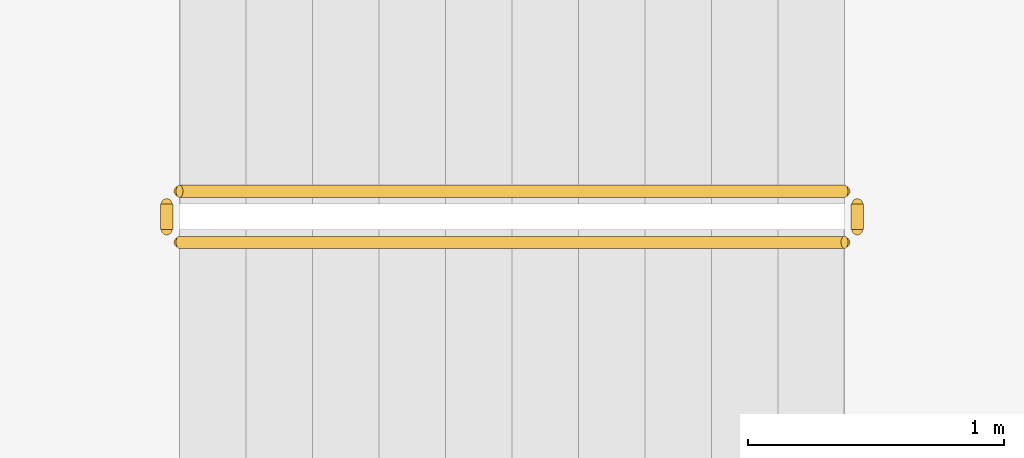
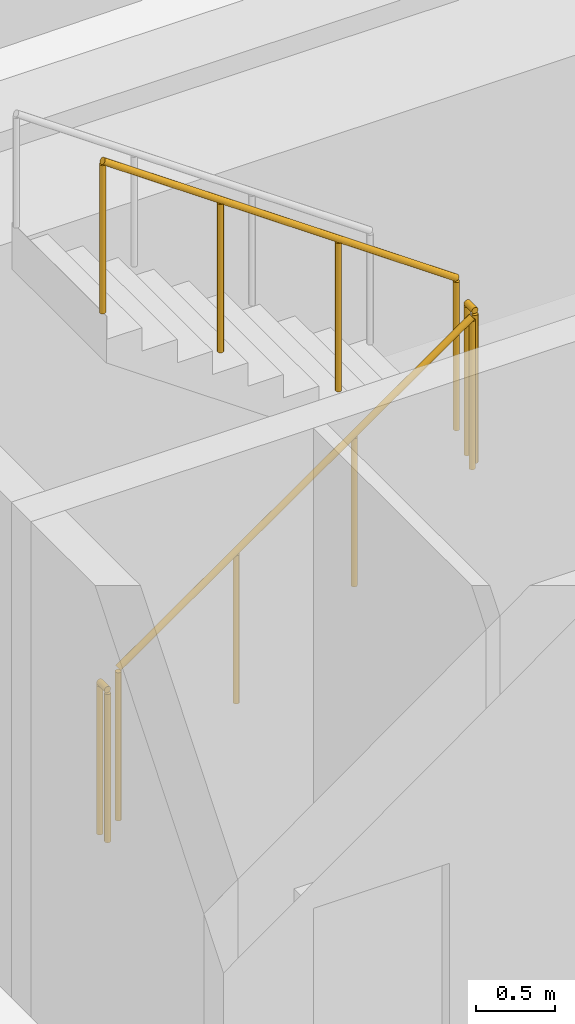
# One storey, part 19 of 23: 4 railings.
"""IFC4 building model written with IfcOpenShell, lengths in metres."""

from ifc_helpers import new_model, si_unit, direction, frame, origin, origin_2d, place, context, subcontext, project, spatial, circle, extrude, material, type_object, element, save


model = new_model("IFC4")

# Units and contexts
model_context = context("Model", 3, precision=1e-05, world=origin(), true_north=direction((0.0, 1.0)))
body_context = subcontext(model_context, "Body", "Model", "MODEL_VIEW")
ifc_project = project(units=[si_unit("LENGTHUNIT", "METRE"), si_unit("AREAUNIT", "SQUARE_METRE"), si_unit("VOLUMEUNIT", "CUBIC_METRE"), si_unit("PLANEANGLEUNIT", "RADIAN"), si_unit("MASSUNIT", "GRAM", prefix="KILO")], contexts=[model_context])

# Site, building, storey
site_placement = place(None, origin())
site = spatial("IfcSite", under=ifc_project, at=site_placement, CompositionType="ELEMENT")
building_placement = place(site_placement, origin())
building = spatial("IfcBuilding", under=site, at=building_placement, Name="Sahrelin Media Tower", CompositionType="ELEMENT")
storey_placement = place(building_placement, frame((0.0, 0.0, 161.60009765625)))
storey = spatial("IfcBuildingStorey", under=building, at=storey_placement, Name="L33", CompositionType="ELEMENT", Elevation=161.60009765625)

# Railings
ifc_material = material(Name="Steel S355", Category="steel")
railing_type = type_object("IfcRailingType", Name="Stair guard 1200", PredefinedType="GUARDRAIL", material=ifc_material)
railing_1_placement = place(storey_placement, frame((-7.675048828125, 5.25, 0.181640625)))
element("IfcRailing", 1, at=railing_1_placement, inside=storey, type_object=railing_type, Name="L33 ST1 stair guard 1", PredefinedType="GUARDRAIL", context=body_context, shape_type="SweptSolid", body=[
    extrude(circle(Radius=0.02392578125, at=origin_2d()), frame((0.0, 0.0, 1.17578125), z_axis=(0.819484887739, 0.0, 0.573100792852), x_axis=(0.0, 1.0, 0.0)), (0.0, 0.0, 1.0), 3.1728515625),
    extrude(circle(Radius=0.02099609375, at=origin_2d()), origin(), (0.0, 0.0, 1.0), 1.15185546875),
    extrude(circle(Radius=0.02099609375, at=origin_2d()), frame((0.86669921875, 0.0, 0.606201171875)), (0.0, 0.0, 1.0), 1.15185546875),
    extrude(circle(Radius=0.02099609375, at=origin_2d()), frame((1.7333984375, 0.0, 1.212158203125)), (0.0, 0.0, 1.0), 1.15185546875),
    extrude(circle(Radius=0.02099609375, at=origin_2d()), frame((2.60009765625, 0.0, 1.818359375)), (0.0, 0.0, 1.0), 1.15185546875),
])
railing_2_placement = place(storey_placement, frame((-5.02490234375, 5.300048828125, 2.0)))
element("IfcRailing", 2, at=railing_2_placement, inside=storey, type_object=railing_type, Name="L33 ST1 stair guard 2", PredefinedType="GUARDRAIL", context=body_context, shape_type="SweptSolid", body=[
    extrude(circle(Radius=0.02392578125, at=origin_2d()), frame((0.0, 0.0, 1.17578125), z_axis=(0.0, 1.0, 0.0), x_axis=(-1.0, 0.0, 0.0)), (0.0, 0.0, 1.0), 0.099853515625),
    extrude(circle(Radius=0.02099609375, at=origin_2d()), origin(), (0.0, 0.0, 1.0), 1.15185546875),
    extrude(circle(Radius=0.02099609375, at=origin_2d()), frame((0.0, 0.099853515625, 0.0)), (0.0, 0.0, 1.0), 1.15185546875),
])
railing_3_placement = place(storey_placement, frame((-5.074951171875, 5.449951171875, 2.181640625)))
element("IfcRailing", 3, at=railing_3_placement, inside=storey, type_object=railing_type, Name="L33 ST1 stair guard 3", PredefinedType="GUARDRAIL", context=body_context, shape_type="SweptSolid", body=[
    extrude(circle(Radius=0.02392578125, at=origin_2d()), frame((0.0, 0.0, 1.17578125), z_axis=(-0.819484887739, 0.0, 0.573100792852), x_axis=(0.0, -1.0, 0.0)), (0.0, 0.0, 1.0), 3.1728515625),
    extrude(circle(Radius=0.02099609375, at=origin_2d()), origin(), (0.0, 0.0, 1.0), 1.15185546875),
    extrude(circle(Radius=0.02099609375, at=origin_2d()), frame((-0.86669921875, 0.0, 0.606201171875)), (0.0, 0.0, 1.0), 1.15185546875),
    extrude(circle(Radius=0.02099609375, at=origin_2d()), frame((-1.7333984375, 0.0, 1.212158203125)), (0.0, 0.0, 1.0), 1.15185546875),
    extrude(circle(Radius=0.02099609375, at=origin_2d()), frame((-2.60009765625, 0.0, 1.818359375)), (0.0, 0.0, 1.0), 1.15185546875),
])
railing_4_placement = place(storey_placement, frame((-7.72509765625, 5.300048828125, 0.0)))
element("IfcRailing", 4, at=railing_4_placement, inside=storey, type_object=railing_type, Name="L33 ST1 stair guard 4", PredefinedType="GUARDRAIL", context=body_context, shape_type="SweptSolid", body=[
    extrude(circle(Radius=0.02392578125, at=origin_2d()), frame((0.0, 0.0, 1.17578125), z_axis=(0.0, 1.0, 0.0), x_axis=(-1.0, 0.0, 0.0)), (0.0, 0.0, 1.0), 0.099853515625),
    extrude(circle(Radius=0.02099609375, at=origin_2d()), origin(), (0.0, 0.0, 1.0), 1.15185546875),
    extrude(circle(Radius=0.02099609375, at=origin_2d()), frame((0.0, 0.099853515625, 0.0)), (0.0, 0.0, 1.0), 1.15185546875),
])

save(model, "model.ifc")
